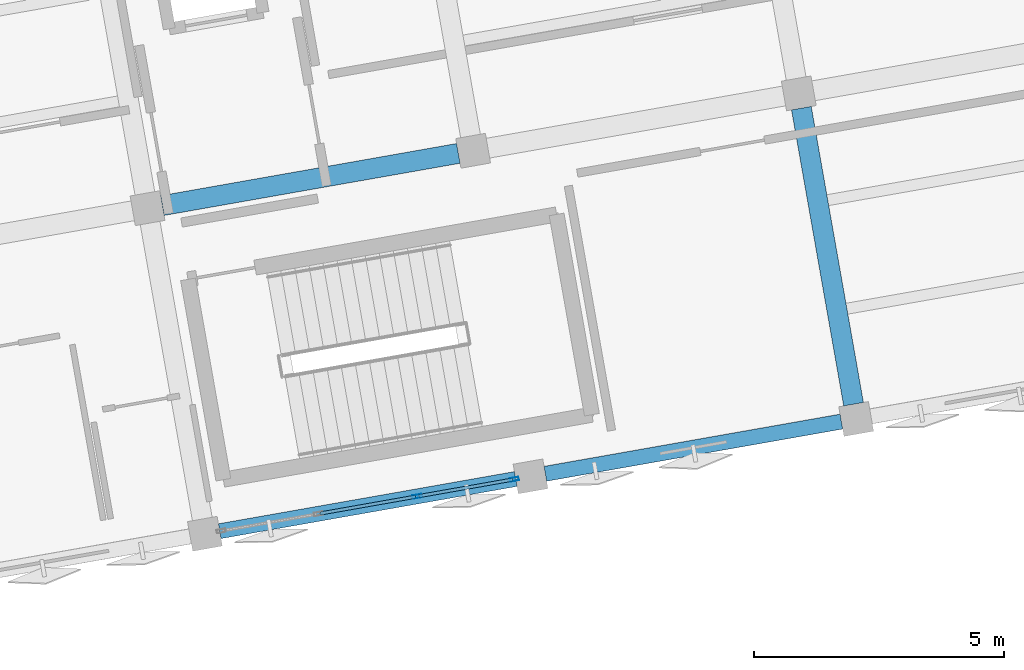
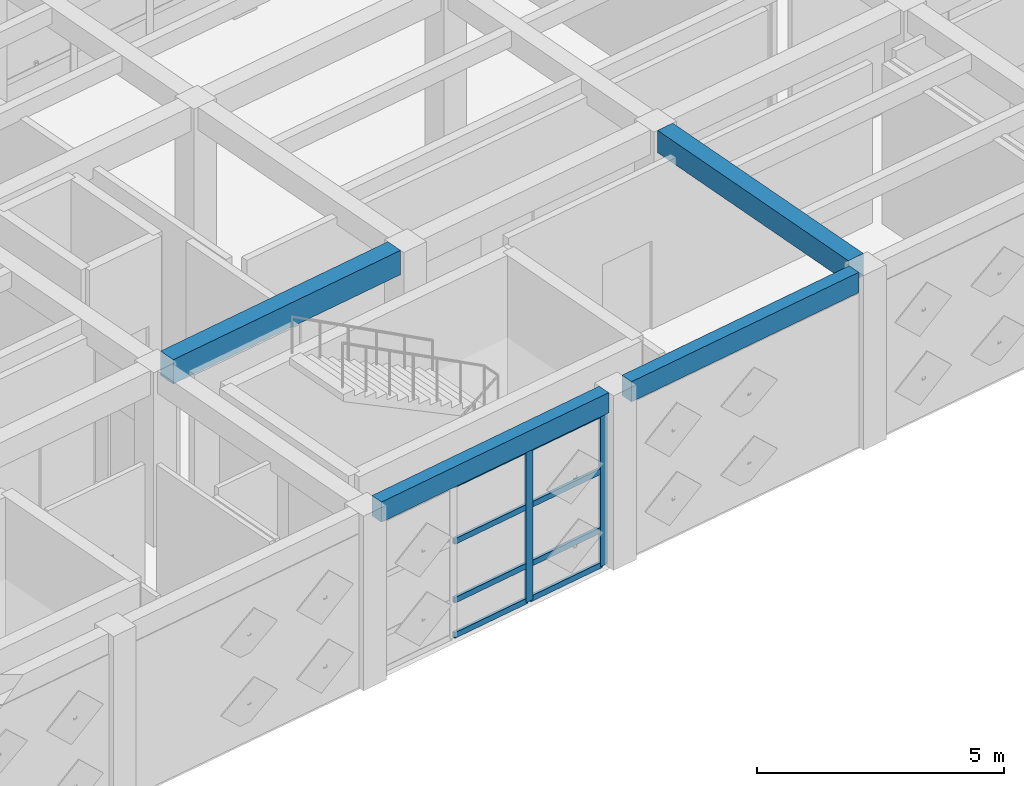
# One storey, part 4 of 29: 10 members, 4 beams, 1 element without a shape of its own.
"""IFC4 building model written with IfcOpenShell, lengths in metres."""

from ifc_helpers import new_model, si_unit, direction, frame, origin, origin_2d, place, context, subcontext, project, spatial, rectangle, hollow_rectangle, extrude, material, layer, layer_set, material_profile, profile_set, type_object, element, aggregate, save


model = new_model("IFC4")

# Units and contexts
model_context = context("Model", 3, precision=1e-05, world=origin(), true_north=direction((0.0, 1.0)))
body_context = subcontext(model_context, "Body", "Model", "MODEL_VIEW")
ifc_project = project(units=[si_unit("LENGTHUNIT", "METRE"), si_unit("AREAUNIT", "SQUARE_METRE"), si_unit("VOLUMEUNIT", "CUBIC_METRE"), si_unit("PLANEANGLEUNIT", "RADIAN"), si_unit("MASSUNIT", "GRAM", prefix="KILO")], contexts=[model_context])

# Site, building, storey
site_placement = place(None, origin())
site = spatial("IfcSite", under=ifc_project, at=site_placement, CompositionType="ELEMENT")
building_placement = place(site_placement, origin())
building = spatial("IfcBuilding", under=site, at=building_placement, Name="Kharisveld Research Institute", CompositionType="ELEMENT")
storey_placement = place(building_placement, frame((0.0, 0.0, 32.10009765625)))
storey = spatial("IfcBuildingStorey", under=building, at=storey_placement, Name="L07", CompositionType="ELEMENT", Elevation=32.10009765625)

# Beams
ifc_material_1 = material(Name="Concrete C40/50", Category="concrete")
ifc_material_profile_1 = material_profile(ifc_material_1, rectangle(XDim=0.39990234375, YDim=0.550048828125, at=origin_2d()))
ifc_profile_set_1 = profile_set([ifc_material_profile_1], Name="Concrete C40/50")
beam_type_1 = type_object("IfcBeamType", Name="BM_RC_400x550", PredefinedType="BEAM", material=ifc_profile_set_1)
beam_1_placement = place(storey_placement, frame((31.146728515625, 39.8896484375, 4.034912109375), z_axis=(-0.173622845926, 0.984812219346, 0.0), x_axis=(-0.984812219346, -0.173622845926, 0.0)))
element("IfcBeam", 1, at=beam_1_placement, inside=storey, type_object=beam_type_1, Name="BM:V1:L07:V4_0", PredefinedType="BEAM", context=body_context, shape_type="SweptSolid", body=[
    extrude(rectangle(XDim=0.39990234375, YDim=0.550048828125, at=origin_2d()), origin(), (0.0, 0.0, 1.0), 6.0),
])
ifc_material_2 = material(Name="Concrete C40/50", Category="concrete")
ifc_material_profile_2 = material_profile(ifc_material_2, rectangle(XDim=0.39990234375, YDim=0.60009765625, at=origin_2d()))
ifc_profile_set_2 = profile_set([ifc_material_profile_2], Name="Concrete C40/50")
beam_type_2 = type_object("IfcBeamType", Name="BM_RC_400x600", PredefinedType="BEAM", material=ifc_profile_set_2)
beam_2_placement = place(storey_placement, frame((17.348876953125, 43.85400390625, 4.010009765625), z_axis=(0.984810992686, 0.173629803561, 0.0), x_axis=(-0.173629803561, 0.984810992686, 0.0)))
element("IfcBeam", 2, at=beam_2_placement, inside=storey, type_object=beam_type_2, Name="BM:V1:L07:U2_1", PredefinedType="BEAM", context=body_context, shape_type="SweptSolid", body=[
    extrude(rectangle(XDim=0.39990234375, YDim=0.60009765625, at=origin_2d()), origin(), (0.0, 0.0, 1.0), 5.999755859375),
])

# Curtain wall, members
ifc_material_3 = material(Name="Thermally Broken Aluminium Curtain Wall", Category="aluminium")
ifc_layer = layer(ifc_material_3, 0.159912109375)
ifc_layer_set = layer_set([ifc_layer], Name="CW_SYS_06")
curtain_wall_type = type_object("IfcCurtainWallType", Name="CW_SYS_06", PredefinedType="NOTDEFINED", material=ifc_layer_set)
curtain_wall_placement = place(storey_placement, origin())
curtain_wall = element("IfcCurtainWall", 3, at=curtain_wall_placement, inside=storey, type_object=curtain_wall_type, Name="CW:V1:L07:S3", PredefinedType="NOTDEFINED")
ifc_material_4 = material(Name="Anodised Aluminium AW-6063-T6", Category="aluminium")
ifc_material_profile_3 = material_profile(ifc_material_4, hollow_rectangle(XDim=0.070068359375, YDim=0.179931640625, WallThickness=0.00439453125, at=origin_2d()))
ifc_profile_set_3 = profile_set([ifc_material_profile_3], Name="Anodised Aluminium AW-6063-T6")
member_type_1 = type_object("IfcMemberType", Name="CW_MUL_180", PredefinedType="MULLION", material=ifc_profile_set_3)
member_1_placement = place(storey_placement, frame((24.374267578125, 38.390869140625, 0.0), z_axis=(0.0, 0.0, 1.0), x_axis=(0.173648210685, -0.98480774719, 0.0)))
member_1 = element("IfcMember", 4, at=member_1_placement, type_object=member_type_1, Name="CW-06 mullion 1", PredefinedType="MULLION", context=body_context, shape_type="SweptSolid", body=[
    extrude(hollow_rectangle(XDim=0.070068359375, YDim=0.179931640625, WallThickness=0.00439453125, at=origin_2d()), origin(), (0.0, 0.0, 1.0), 3.77978515625),
])
member_2_placement = place(storey_placement, frame((22.435791015625, 38.049072265625, 0.0), z_axis=(0.0, 0.0, 1.0), x_axis=(0.173648210685, -0.98480774719, 0.0)))
member_2 = element("IfcMember", 5, at=member_2_placement, type_object=member_type_1, Name="CW-06 mullion 2", PredefinedType="MULLION", context=body_context, shape_type="SweptSolid", body=[
    extrude(hollow_rectangle(XDim=0.070068359375, YDim=0.179931640625, WallThickness=0.00439453125, at=origin_2d()), origin(), (0.0, 0.0, 1.0), 3.77978515625),
])
ifc_material_5 = material(Name="Anodised Aluminium AW-6063-T6", Category="aluminium")
ifc_material_profile_4 = material_profile(ifc_material_5, hollow_rectangle(XDim=0.06494140625, YDim=0.139892578125, WallThickness=0.00390625, at=origin_2d()))
ifc_profile_set_4 = profile_set([ifc_material_profile_4], Name="Anodised Aluminium AW-6063-T6")
member_type_2 = type_object("IfcMemberType", Name="CW_TRN_140", PredefinedType="USERDEFINED", material=ifc_profile_set_4)
member_3_placement = place(storey_placement, frame((24.33984375, 38.384765625, 0.032470703125), z_axis=(-0.984814614087, -0.173609262081, 0.0), x_axis=(0.173609262081, -0.984814614087, 0.0)))
member_3 = element("IfcMember", 6, at=member_3_placement, type_object=member_type_2, Name="CW-06 transom 1.1", ObjectType="TRANSOM", PredefinedType="USERDEFINED", context=body_context, shape_type="SweptSolid", body=[
    extrude(hollow_rectangle(XDim=0.06494140625, YDim=0.139892578125, WallThickness=0.00390625, at=origin_2d()), origin(), (0.0, 0.0, 1.0), 1.8984375),
])
member_4_placement = place(storey_placement, frame((24.33984375, 38.384765625, 0.89990234375), z_axis=(-0.984814614087, -0.173609262081, 0.0), x_axis=(0.173609262081, -0.984814614087, 0.0)))
member_4 = element("IfcMember", 7, at=member_4_placement, type_object=member_type_2, Name="CW-06 transom 1.2", ObjectType="TRANSOM", PredefinedType="USERDEFINED", context=body_context, shape_type="SweptSolid", body=[
    extrude(hollow_rectangle(XDim=0.06494140625, YDim=0.139892578125, WallThickness=0.00390625, at=origin_2d()), origin(), (0.0, 0.0, 1.0), 1.8984375),
])
member_5_placement = place(storey_placement, frame((24.33984375, 38.384765625, 2.349853515625), z_axis=(-0.984814614087, -0.173609262081, 0.0), x_axis=(0.173609262081, -0.984814614087, 0.0)))
member_5 = element("IfcMember", 8, at=member_5_placement, type_object=member_type_2, Name="CW-06 transom 1.3", ObjectType="TRANSOM", PredefinedType="USERDEFINED", context=body_context, shape_type="SweptSolid", body=[
    extrude(hollow_rectangle(XDim=0.06494140625, YDim=0.139892578125, WallThickness=0.00390625, at=origin_2d()), origin(), (0.0, 0.0, 1.0), 1.8984375),
])
member_6_placement = place(storey_placement, frame((24.33984375, 38.384765625, 3.747314453125), z_axis=(-0.984814614087, -0.173609262081, 0.0), x_axis=(0.173609262081, -0.984814614087, 0.0)))
member_6 = element("IfcMember", 9, at=member_6_placement, type_object=member_type_2, Name="CW-06 transom 1.4", ObjectType="TRANSOM", PredefinedType="USERDEFINED", context=body_context, shape_type="SweptSolid", body=[
    extrude(hollow_rectangle(XDim=0.06494140625, YDim=0.139892578125, WallThickness=0.00390625, at=origin_2d()), origin(), (0.0, 0.0, 1.0), 1.8984375),
])
member_7_placement = place(storey_placement, frame((22.4013671875, 38.04296875, 0.032470703125), z_axis=(-0.984811512808, -0.173626853457, 0.0), x_axis=(0.173626853457, -0.984811512808, 0.0)))
member_7 = element("IfcMember", 10, at=member_7_placement, type_object=member_type_2, Name="CW-06 transom 2.1", ObjectType="TRANSOM", PredefinedType="USERDEFINED", context=body_context, shape_type="SweptSolid", body=[
    extrude(hollow_rectangle(XDim=0.06494140625, YDim=0.139892578125, WallThickness=0.00390625, at=origin_2d()), origin(), (0.0, 0.0, 1.0), 1.933349609375),
])
member_8_placement = place(storey_placement, frame((22.4013671875, 38.04296875, 0.89990234375), z_axis=(-0.984811512808, -0.173626853457, 0.0), x_axis=(0.173626853457, -0.984811512808, 0.0)))
member_8 = element("IfcMember", 11, at=member_8_placement, type_object=member_type_2, Name="CW-06 transom 2.2", ObjectType="TRANSOM", PredefinedType="USERDEFINED", context=body_context, shape_type="SweptSolid", body=[
    extrude(hollow_rectangle(XDim=0.06494140625, YDim=0.139892578125, WallThickness=0.00390625, at=origin_2d()), origin(), (0.0, 0.0, 1.0), 1.933349609375),
])
member_9_placement = place(storey_placement, frame((22.4013671875, 38.04296875, 2.349853515625), z_axis=(-0.984811512808, -0.173626853457, 0.0), x_axis=(0.173626853457, -0.984811512808, 0.0)))
member_9 = element("IfcMember", 12, at=member_9_placement, type_object=member_type_2, Name="CW-06 transom 2.3", ObjectType="TRANSOM", PredefinedType="USERDEFINED", context=body_context, shape_type="SweptSolid", body=[
    extrude(hollow_rectangle(XDim=0.06494140625, YDim=0.139892578125, WallThickness=0.00390625, at=origin_2d()), origin(), (0.0, 0.0, 1.0), 1.933349609375),
])
member_10_placement = place(storey_placement, frame((22.4013671875, 38.04296875, 3.747314453125), z_axis=(-0.984811512808, -0.173626853457, 0.0), x_axis=(0.173626853457, -0.984811512808, 0.0)))
member_10 = element("IfcMember", 13, at=member_10_placement, type_object=member_type_2, Name="CW-06 transom 2.4", ObjectType="TRANSOM", PredefinedType="USERDEFINED", context=body_context, shape_type="SweptSolid", body=[
    extrude(hollow_rectangle(XDim=0.06494140625, YDim=0.139892578125, WallThickness=0.00390625, at=origin_2d()), origin(), (0.0, 0.0, 1.0), 1.933349609375),
])
aggregate(curtain_wall, [member_1, member_2, member_3, member_4, member_5, member_6, member_7, member_8, member_9, member_10])

# Beams
ifc_material_6 = material(Name="Concrete C40/50", Category="concrete")
ifc_material_profile_5 = material_profile(ifc_material_6, rectangle(XDim=0.300048828125, YDim=0.5, at=origin_2d()))
ifc_profile_set_5 = profile_set([ifc_material_profile_5], Name="Concrete C40/50")
beam_type_3 = type_object("IfcBeamType", Name="SP_RC_300x500", PredefinedType="SPANDREL", material=ifc_profile_set_5)
for number, where, z_axis, x_axis, name in (
    (14, (18.494873046875, 37.354248046875, 4.059814453125), (0.984805261243, 0.173662308598, 0.0), (-0.173662308598, 0.984805261243, 0.0), "BM:V1:L07:U2_0"),
    (15, (24.99462890625, 38.500244140625, 4.059814453125), (0.984805261243, 0.173662308598, 0.0), (-0.173662308598, 0.984805261243, 0.0), "BM:V1:L07:U3_0"),
):
    element("IfcBeam", number, at=place(storey_placement, frame(where, z_axis=z_axis, x_axis=x_axis)), inside=storey, type_object=beam_type_3, Name=name, PredefinedType="SPANDREL", context=body_context, shape_type="SweptSolid", body=[
        extrude(rectangle(XDim=0.300048828125, YDim=0.5, at=origin_2d()), origin(), (0.0, 0.0, 1.0), 6.0),
    ])

save(model, "model.ifc")
